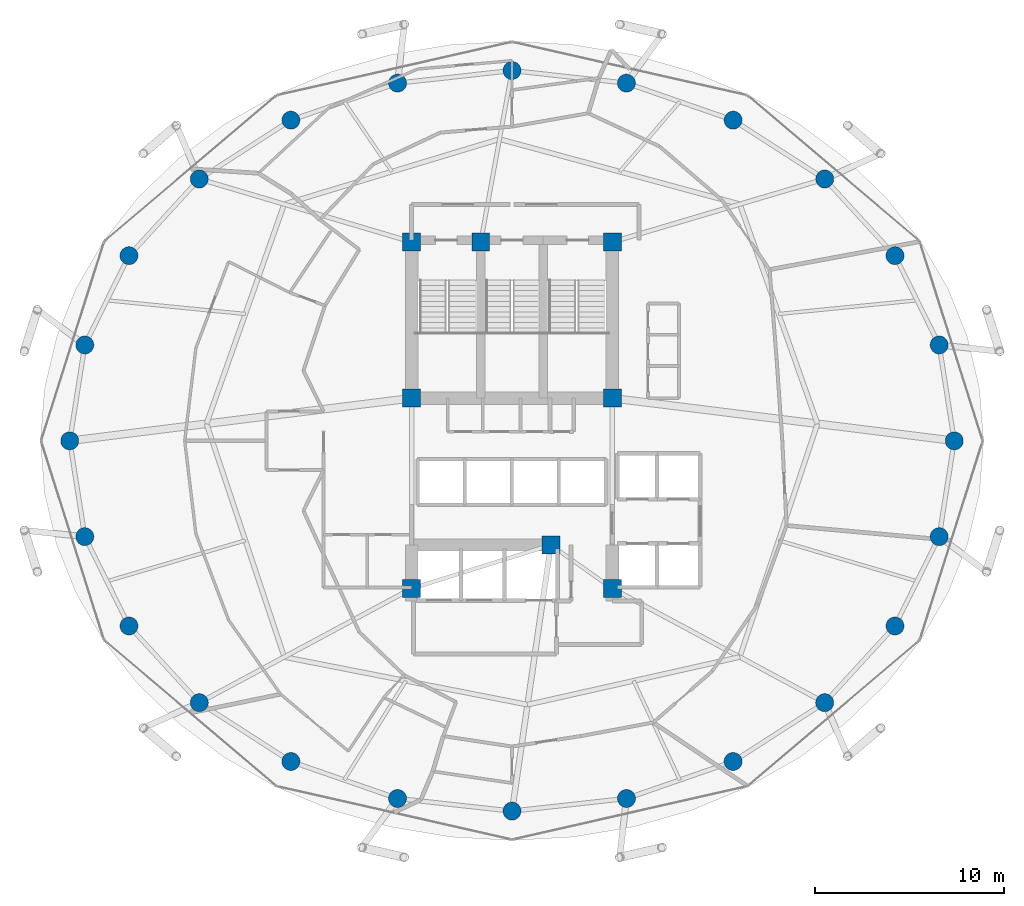
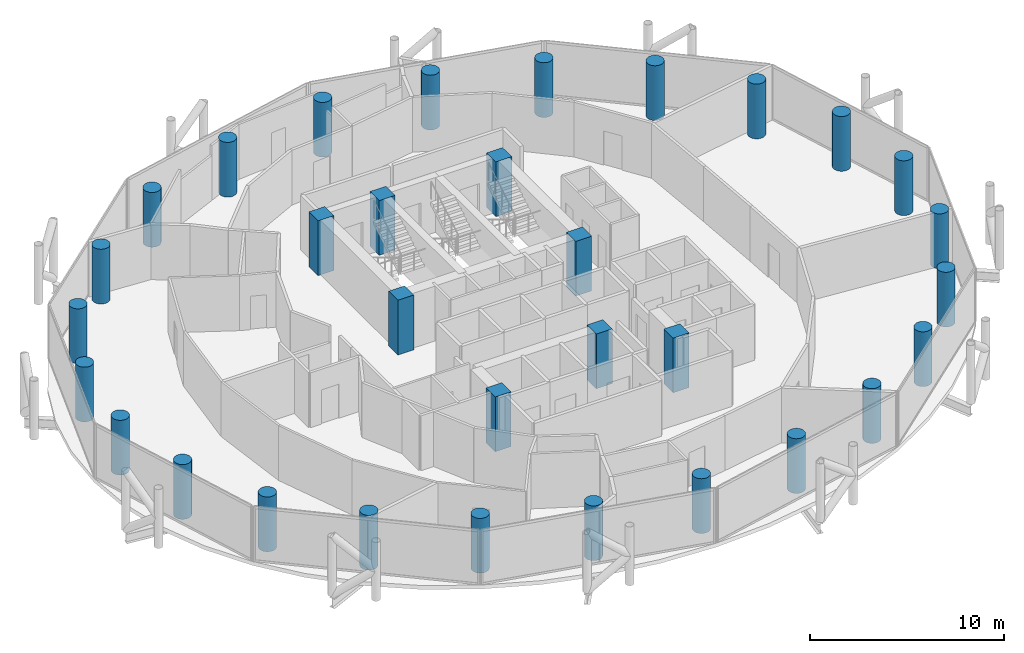
# One storey, part 1 of 26: 32 columns.
"""IFC4 building model written with IfcOpenShell, lengths in metres."""

from ifc_helpers import new_model, si_unit, direction, frame, origin, origin_2d, place, context, subcontext, project, spatial, rectangle, circle, extrude, material, material_profile, profile_set, type_object, element, save


model = new_model("IFC4")

# Units and contexts
model_context = context("Model", 3, precision=1e-05, world=origin(), true_north=direction((0.0, 1.0)))
body_context = subcontext(model_context, "Body", "Model", "MODEL_VIEW")
ifc_project = project(units=[si_unit("LENGTHUNIT", "METRE"), si_unit("AREAUNIT", "SQUARE_METRE"), si_unit("VOLUMEUNIT", "CUBIC_METRE"), si_unit("PLANEANGLEUNIT", "RADIAN"), si_unit("MASSUNIT", "GRAM", prefix="KILO")], contexts=[model_context])

# Site, building, storey
site_placement = place(None, origin())
site = spatial("IfcSite", under=ifc_project, at=site_placement, CompositionType="ELEMENT")
building_placement = place(site_placement, origin())
building = spatial("IfcBuilding", under=site, at=building_placement, Name="Nuhasar Tower", CompositionType="ELEMENT")
storey_placement = place(building_placement, frame((0.0, 0.0, 162.64990234375)))
storey = spatial("IfcBuildingStorey", under=building, at=storey_placement, Name="L39", CompositionType="ELEMENT", Elevation=162.64990234375)

# Columns
ifc_material = material(Name="Concrete C65/80", Category="concrete")
ifc_material_profile_1 = material_profile(ifc_material, circle(Radius=0.47509765625, at=origin_2d()), Name="CFT950")
ifc_profile_set_1 = profile_set([ifc_material_profile_1], Name="Concrete C65/80")
column_type_1 = type_object("IfcColumnType", Name="COL-CFT-950", PredefinedType="COLUMN", material=ifc_profile_set_1)
for number, where, z_axis, x_axis, name in (
    (1, (62.35009765625, 26.800048828125, 0.0), (0.0, 0.0, 1.0), (1.0, 0.0, 0.0), "L39 Perimeter Composite Column TC-01"),
    (2, (61.553955078125, 31.860107421875, 0.0), (0.0, 0.0, 1.0), (1.0, 0.0, 0.0), "L39 Perimeter Composite Column TC-02"),
    (3, (59.221923828125, 36.574951171875, 0.0), (0.0, 0.0, 1.0), (1.0, 0.0, 0.0), "L39 Perimeter Composite Column TC-03"),
    (4, (55.510986328125, 40.6240234375, 0.0), (0.0, 0.0, 1.0), (1.0, 0.0, 0.0), "L39 Perimeter Composite Column TC-04"),
    (5, (50.675048828125, 43.73095703125, 0.0), (0.0, 0.0, 1.0), (1.0, 0.0, 0.0), "L39 Perimeter Composite Column TC-05"),
    (6, (45.04296875, 45.68408203125, 0.0), (0.0, 0.0, 1.0), (1.0, 0.0, 0.0), "L39 Perimeter Composite Column TC-06"),
    (7, (39.0, 46.35009765625, 0.0), (0.0, 0.0, 1.0), (1.0, 0.0, 0.0), "L39 Perimeter Composite Column TC-07"),
    (8, (32.95703125, 45.68408203125, 0.0), (0.0, 0.0, 1.0), (1.0, 0.0, 0.0), "L39 Perimeter Composite Column TC-08"),
    (9, (27.324951171875, 43.73095703125, 0.0), (0.0, 0.0, 1.0), (1.0, 0.0, 0.0), "L39 Perimeter Composite Column TC-09"),
    (10, (22.489013671875, 40.6240234375, 0.0), (0.0, 0.0, 1.0), (1.0, 0.0, 0.0), "L39 Perimeter Composite Column TC-10"),
    (11, (18.778076171875, 36.574951171875, 0.0), (0.0, 0.0, 1.0), (1.0, 0.0, 0.0), "L39 Perimeter Composite Column TC-11"),
    (12, (16.446044921875, 31.860107421875, 0.0), (0.0, 0.0, 1.0), (1.0, 0.0, 0.0), "L39 Perimeter Composite Column TC-12"),
    (13, (15.64990234375, 26.800048828125, 0.0), (0.0, 0.0, 1.0), (1.0, 0.0, 0.0), "L39 Perimeter Composite Column TC-13"),
    (14, (16.446044921875, 21.739990234375, 0.0), (0.0, 0.0, 1.0), (1.0, 0.0, 0.0), "L39 Perimeter Composite Column TC-14"),
    (15, (18.778076171875, 17.02490234375, 0.0), (0.0, 0.0, 1.0), (1.0, 0.0, 0.0), "L39 Perimeter Composite Column TC-15"),
    (16, (22.489013671875, 12.97607421875, 0.0), (0.0, 0.0, 1.0), (1.0, 0.0, 0.0), "L39 Perimeter Composite Column TC-16"),
    (17, (27.324951171875, 9.868896484375, 0.0), (0.0, 0.0, 1.0), (1.0, 0.0, 0.0), "L39 Perimeter Composite Column TC-17"),
    (18, (32.95703125, 7.916015625, 0.0), (0.0, 0.0, 1.0), (1.0, 0.0, 0.0), "L39 Perimeter Composite Column TC-18"),
    (19, (39.0, 7.25, 0.0), (0.0, 0.0, 1.0), (1.0, 0.0, 0.0), "L39 Perimeter Composite Column TC-19"),
    (20, (45.04296875, 7.916015625, 0.0), (0.0, 0.0, 1.0), (1.0, 0.0, 0.0), "L39 Perimeter Composite Column TC-20"),
    (21, (50.675048828125, 9.868896484375, 0.0), (0.0, 0.0, 1.0), (1.0, 0.0, 0.0), "L39 Perimeter Composite Column TC-21"),
    (22, (55.510986328125, 12.97607421875, 0.0), (0.0, 0.0, 1.0), (1.0, 0.0, 0.0), "L39 Perimeter Composite Column TC-22"),
    (23, (59.221923828125, 17.02490234375, 0.0), (0.0, 0.0, 1.0), (1.0, 0.0, 0.0), "L39 Perimeter Composite Column TC-23"),
    (24, (61.553955078125, 21.739990234375, 0.0), (0.0, 0.0, 1.0), (1.0, 0.0, 0.0), "L39 Perimeter Composite Column TC-24"),
):
    element("IfcColumn", number, at=place(storey_placement, frame(where, z_axis=z_axis, x_axis=x_axis)), inside=storey, type_object=column_type_1, Name=name, PredefinedType="COLUMN", context=body_context, shape_type="SweptSolid", body=[
        extrude(circle(Radius=0.47509765625, at=origin_2d()), origin(), (0.0, 0.0, 1.0), 3.4501953125),
    ])
ifc_material_profile_2 = material_profile(ifc_material, rectangle(XDim=0.949951171875, YDim=0.949951171875, at=origin_2d()), Name="RC950X950")
ifc_profile_set_2 = profile_set([ifc_material_profile_2], Name="Concrete C65/80")
column_type_2 = type_object("IfcColumnType", Name="PIL-RC-950", PredefinedType="PILASTER", material=ifc_profile_set_2)
for number, where, z_axis, x_axis, name in (
    (25, (33.699951171875, 19.0, 0.0), (0.0, 0.0, 1.0), (1.0, 0.0, 0.0), "L39 Core Boundary Pilaster CC-01"),
    (26, (41.050048828125, 21.300048828125, 0.0), (0.0, 0.0, 1.0), (1.0, 0.0, 0.0), "L39 Core Boundary Pilaster CC-02"),
    (27, (44.300048828125, 19.0, 0.0), (0.0, 0.0, 1.0), (1.0, 0.0, 0.0), "L39 Core Boundary Pilaster CC-03"),
    (28, (44.300048828125, 29.050048828125, 0.0), (0.0, 0.0, 1.0), (1.0, 0.0, 0.0), "L39 Core Boundary Pilaster CC-04"),
    (29, (44.300048828125, 37.300048828125, 0.0), (0.0, 0.0, 1.0), (1.0, 0.0, 0.0), "L39 Core Boundary Pilaster CC-05"),
    (30, (37.35009765625, 37.300048828125, 0.0), (0.0, 0.0, 1.0), (1.0, 0.0, 0.0), "L39 Core Boundary Pilaster CC-06"),
    (31, (33.699951171875, 37.300048828125, 0.0), (0.0, 0.0, 1.0), (1.0, 0.0, 0.0), "L39 Core Boundary Pilaster CC-07"),
    (32, (33.699951171875, 29.050048828125, 0.0), (0.0, 0.0, 1.0), (1.0, 0.0, 0.0), "L39 Core Boundary Pilaster CC-08"),
):
    element("IfcColumn", number, at=place(storey_placement, frame(where, z_axis=z_axis, x_axis=x_axis)), inside=storey, type_object=column_type_2, Name=name, PredefinedType="PILASTER", context=body_context, shape_type="SweptSolid", body=[
        extrude(rectangle(XDim=0.949951171875, YDim=0.949951171875, at=origin_2d()), origin(), (0.0, 0.0, 1.0), 3.4501953125),
    ])

save(model, "model.ifc")
